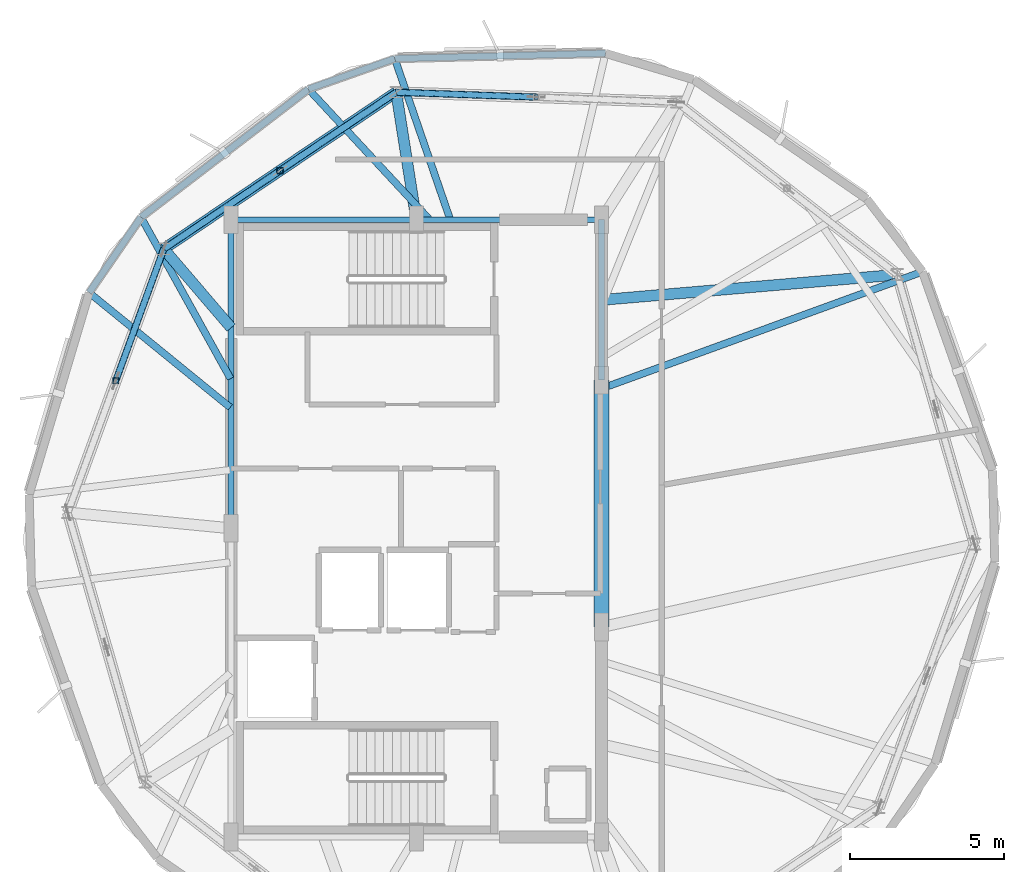
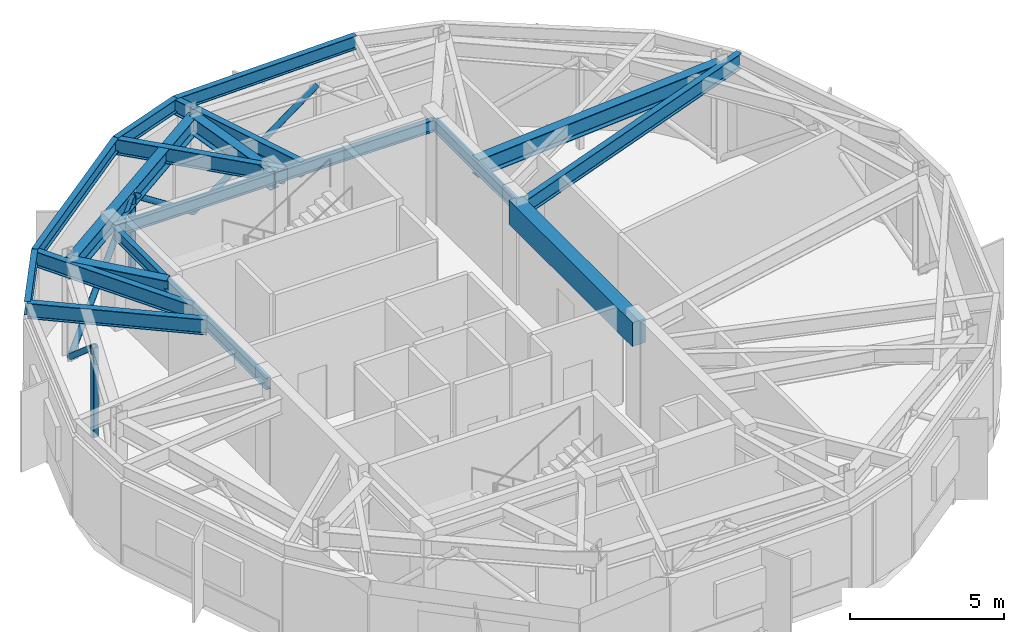
# One storey, part 2 of 9: 18 beams, 6 members.
"""IFC4 building model written with IfcOpenShell, lengths in metres."""

from ifc_helpers import new_model, si_unit, direction, frame, origin, origin_2d, place, context, subcontext, project, spatial, rectangle, hollow_rectangle, hollow_circle, i_section, extrude, material, material_profile, profile_set, type_object, element, save


model = new_model("IFC4")

# Units and contexts
model_context = context("Model", 3, precision=1e-05, world=origin(), true_north=direction((0.0, 1.0)))
body_context = subcontext(model_context, "Body", "Model", "MODEL_VIEW")
ifc_project = project(units=[si_unit("LENGTHUNIT", "METRE"), si_unit("AREAUNIT", "SQUARE_METRE"), si_unit("VOLUMEUNIT", "CUBIC_METRE"), si_unit("PLANEANGLEUNIT", "RADIAN"), si_unit("MASSUNIT", "GRAM", prefix="KILO")], contexts=[model_context])

# Site, building, storey
site_placement = place(None, origin())
site = spatial("IfcSite", under=ifc_project, at=site_placement, CompositionType="ELEMENT")
building_placement = place(site_placement, origin())
building = spatial("IfcBuilding", under=site, at=building_placement, Name="Soratama Intermodal Tower", CompositionType="ELEMENT")
storey_placement = place(building_placement, frame((0.0, 0.0, 305.64990234375)))
storey = spatial("IfcBuildingStorey", under=building, at=storey_placement, Name="L77", CompositionType="ELEMENT", Elevation=305.64990234375)

# Beams
ifc_material_1 = material(Name="Concrete f'c 56 MPa", Category="concrete")
ifc_material_profile_1 = material_profile(ifc_material_1, rectangle(XDim=0.5, YDim=0.949951171875, at=origin_2d()), Name="RC500X950")
ifc_profile_set_1 = profile_set([ifc_material_profile_1], Name="Concrete f'c 56 MPa")
beam_type_1 = type_object("IfcBeamType", Name="BM-CPL-RC500X950", PredefinedType="BEAM", material=ifc_profile_set_1)
beam_1_placement = place(storey_placement, frame((44.60009765625, 21.800048828125, 3.420166015625), z_axis=(0.0, 1.0, 0.0), x_axis=(-1.0, 0.0, 0.0)))
element("IfcBeam", 1, at=beam_1_placement, inside=storey, type_object=beam_type_1, Name="L77 Core Coupling Beam East", PredefinedType="BEAM", context=body_context, shape_type="SweptSolid", body=[
    extrude(rectangle(XDim=0.5, YDim=0.949951171875, at=origin_2d()), origin(), (0.0, 0.0, 1.0), 8.0),
])
ifc_material_2 = material(Name="Structural steel ASTM A992 Grade 50", Category="steel")
ifc_material_profile_2 = material_profile(ifc_material_2, i_section(OverallWidth=0.19091796875, OverallDepth=0.4599609375, WebThickness=0.010009765625, FlangeThickness=0.01611328125, FilletRadius=0.010986328125, at=origin_2d()), Name="W18X55")
ifc_profile_set_2 = profile_set([ifc_material_profile_2], Name="Structural steel ASTM A992 Grade 50")
beam_type_2 = type_object("IfcBeamType", Name="BM-FLR-W18X55", PredefinedType="BEAM", material=ifc_profile_set_2)
beam_2_placement = place(storey_placement, frame((44.60009765625, 29.800048828125, 3.6650390625), z_axis=(0.0, 1.0, 0.0), x_axis=(-1.0, 0.0, 0.0)))
element("IfcBeam", 2, at=beam_2_placement, inside=storey, type_object=beam_type_2, Name="BM-L77-CRING-05", PredefinedType="BEAM", context=body_context, shape_type="SweptSolid", body=[
    extrude(i_section(OverallWidth=0.19091796875, OverallDepth=0.4599609375, WebThickness=0.010009765625, FlangeThickness=0.01611328125, FilletRadius=0.010986328125, at=origin_2d()), origin(), (0.0, 0.0, 1.0), 5.199951171875),
])
for number, where, z_axis, x_axis, name in (
    (3, (44.60009765625, 35.0, 3.6650390625), (-1.0, 0.0, 0.0), (0.0, -1.0, 0.0), "BM-L77-CRING-06"),
    (4, (38.60009765625, 35.0, 3.6650390625), (-1.0, 0.0, 0.0), (0.0, -1.0, 0.0), "BM-L77-CRING-07"),
):
    element("IfcBeam", number, at=place(storey_placement, frame(where, z_axis=z_axis, x_axis=x_axis)), inside=storey, type_object=beam_type_2, Name=name, PredefinedType="BEAM", context=body_context, shape_type="SweptSolid", body=[
        extrude(i_section(OverallWidth=0.19091796875, OverallDepth=0.4599609375, WebThickness=0.010009765625, FlangeThickness=0.01611328125, FilletRadius=0.010986328125, at=origin_2d()), origin(), (0.0, 0.0, 1.0), 6.0),
    ])
beam_3_placement = place(storey_placement, frame((32.60009765625, 35.0, 3.6650390625), z_axis=(0.0, -1.0, 0.0), x_axis=(1.0, 0.0, 0.0)))
element("IfcBeam", 5, at=beam_3_placement, inside=storey, type_object=beam_type_2, Name="BM-L77-CRING-08", PredefinedType="BEAM", context=body_context, shape_type="SweptSolid", body=[
    extrude(i_section(OverallWidth=0.19091796875, OverallDepth=0.4599609375, WebThickness=0.010009765625, FlangeThickness=0.01611328125, FilletRadius=0.010986328125, at=origin_2d()), origin(), (0.0, 0.0, 1.0), 10.0),
])
ifc_material_3 = material(Name="Structural steel ASTM A992 Grade 50", Category="steel")
ifc_material_profile_3 = material_profile(ifc_material_3, i_section(OverallWidth=0.35498046875, OverallDepth=0.695068359375, WebThickness=0.015380859375, FlangeThickness=0.02490234375, FilletRadius=0.01611328125, at=origin_2d()), Name="W27X146")
ifc_profile_set_3 = profile_set([ifc_material_profile_3], Name="Structural steel ASTM A992 Grade 50")
beam_type_3 = type_object("IfcBeamType", Name="BM-RING-W27X146", PredefinedType="BEAM", material=ifc_profile_set_3)
beam_4_placement = place(storey_placement, frame((37.947998046875, 39.1298828125, 3.547607421875), z_axis=(-0.829065755123, -0.559151118824, 0.0), x_axis=(0.559151118824, -0.829065755123, 0.0)))
element("IfcBeam", 6, at=beam_4_placement, inside=storey, type_object=beam_type_3, Name="BM-L77-RING-03", PredefinedType="BEAM", context=body_context, shape_type="SweptSolid", body=[
    extrude(i_section(OverallWidth=0.35498046875, OverallDepth=0.695068359375, WebThickness=0.015380859375, FlangeThickness=0.02490234375, FilletRadius=0.01611328125, at=origin_2d()), origin(), (0.0, 0.0, 1.0), 9.0849609375),
])
beam_5_placement = place(storey_placement, frame((44.60009765625, 32.39990234375, 3.547607421875), z_axis=(0.996361377068, 0.085229139899, 0.0), x_axis=(-0.085229139899, 0.996361377068, 0.0)))
element("IfcBeam", 7, at=beam_5_placement, inside=storey, type_object=beam_type_3, Name="BM-L77-RAD-01", PredefinedType="BEAM", context=body_context, shape_type="SweptSolid", body=[
    extrude(i_section(OverallWidth=0.35498046875, OverallDepth=0.695068359375, WebThickness=0.015380859375, FlangeThickness=0.02490234375, FilletRadius=0.01611328125, at=origin_2d()), origin(), (0.0, 0.0, 1.0), 9.621826171875),
])
beam_6_placement = place(storey_placement, frame((38.60009765625, 35.0, 3.547607421875), z_axis=(-0.155965571991, 0.987762491874, 0.0), x_axis=(-0.987762491874, -0.155965571991, 0.0)))
element("IfcBeam", 8, at=beam_6_placement, inside=storey, type_object=beam_type_3, Name="BM-L77-RAD-03", PredefinedType="BEAM", context=body_context, shape_type="SweptSolid", body=[
    extrude(i_section(OverallWidth=0.35498046875, OverallDepth=0.695068359375, WebThickness=0.015380859375, FlangeThickness=0.02490234375, FilletRadius=0.01611328125, at=origin_2d()), origin(), (0.0, 0.0, 1.0), 4.18115234375),
])
beam_7_placement = place(storey_placement, frame((32.60009765625, 31.5, 3.547607421875), z_axis=(-0.650503890691, 0.759502921782, 0.0), x_axis=(-0.759502921782, -0.650503890691, 0.0)))
element("IfcBeam", 9, at=beam_7_placement, inside=storey, type_object=beam_type_3, Name="BM-L77-RAD-04", PredefinedType="BEAM", context=body_context, shape_type="SweptSolid", body=[
    extrude(i_section(OverallWidth=0.35498046875, OverallDepth=0.695068359375, WebThickness=0.015380859375, FlangeThickness=0.02490234375, FilletRadius=0.01611328125, at=origin_2d()), origin(), (0.0, 0.0, 1.0), 3.357421875),
])
ifc_material_4 = material(Name="Structural steel ASTM A992 Grade 50", Category="steel")
ifc_material_profile_4 = material_profile(ifc_material_4, i_section(OverallWidth=0.2099609375, OverallDepth=0.537109375, WebThickness=0.010986328125, FlangeThickness=0.017333984375, FilletRadius=0.012939453125, at=origin_2d()), Name="W21X68")
ifc_profile_set_4 = profile_set([ifc_material_profile_4], Name="Structural steel ASTM A992 Grade 50")
beam_type_4 = type_object("IfcBeamType", Name="BM-SPN-W21X68", PredefinedType="SPANDREL", material=ifc_profile_set_4)
beam_8_placement = place(storey_placement, frame((44.72998046875, 40.39306640625, 3.626708984375), z_axis=(-0.999682536097, -0.025195773915, 0.0), x_axis=(0.025195773915, -0.999682536097, 0.0)))
element("IfcBeam", 10, at=beam_8_placement, inside=storey, type_object=beam_type_4, Name="BS-L77-F01", PredefinedType="SPANDREL", context=body_context, shape_type="SweptSolid", body=[
    extrude(i_section(OverallWidth=0.2099609375, OverallDepth=0.537109375, WebThickness=0.010986328125, FlangeThickness=0.017333984375, FilletRadius=0.012939453125, at=origin_2d()), origin(), (0.0, 0.0, 1.0), 6.831298828125),
])
beam_9_placement = place(storey_placement, frame((37.90087890625, 40.220947265625, 3.626708984375), z_axis=(-0.9430343817, -0.332695288413, 0.0), x_axis=(0.332695288413, -0.9430343817, 0.0)))
element("IfcBeam", 11, at=beam_9_placement, inside=storey, type_object=beam_type_4, Name="BS-L77-CRN01", PredefinedType="SPANDREL", context=body_context, shape_type="SweptSolid", body=[
    extrude(i_section(OverallWidth=0.2099609375, OverallDepth=0.537109375, WebThickness=0.010986328125, FlangeThickness=0.017333984375, FilletRadius=0.012939453125, at=origin_2d()), origin(), (0.0, 0.0, 1.0), 2.966796875),
])
beam_10_placement = place(storey_placement, frame((35.10302734375, 39.23388671875, 3.626708984375), z_axis=(-0.794003667798, -0.607912967063, 0.0), x_axis=(0.607912967063, -0.794003667798, 0.0)))
element("IfcBeam", 12, at=beam_10_placement, inside=storey, type_object=beam_type_4, Name="BS-L77-F02", PredefinedType="SPANDREL", context=body_context, shape_type="SweptSolid", body=[
    extrude(i_section(OverallWidth=0.2099609375, OverallDepth=0.537109375, WebThickness=0.010986328125, FlangeThickness=0.017333984375, FilletRadius=0.012939453125, at=origin_2d()), origin(), (0.0, 0.0, 1.0), 6.831298828125),
])
beam_11_placement = place(storey_placement, frame((29.678955078125, 35.0810546875, 3.626708984375), z_axis=(-0.567042230311, -0.823688720964, 0.0), x_axis=(0.823688720964, -0.567042230311, 0.0)))
element("IfcBeam", 13, at=beam_11_placement, inside=storey, type_object=beam_type_4, Name="BS-L77-CRN02", PredefinedType="SPANDREL", context=body_context, shape_type="SweptSolid", body=[
    extrude(i_section(OverallWidth=0.2099609375, OverallDepth=0.537109375, WebThickness=0.010986328125, FlangeThickness=0.017333984375, FilletRadius=0.012939453125, at=origin_2d()), origin(), (0.0, 0.0, 1.0), 2.966064453125),
])
ifc_material_5 = material(Name="Structural steel ASTM A992 Grade 50", Category="steel")
ifc_material_profile_5 = material_profile(ifc_material_5, i_section(OverallWidth=0.22900390625, OverallDepth=0.612060546875, WebThickness=0.011962890625, FlangeThickness=0.01953125, FilletRadius=0.012939453125, at=origin_2d()), Name="W24X84")
ifc_profile_set_5 = profile_set([ifc_material_profile_5], Name="Structural steel ASTM A992 Grade 50")
beam_type_5 = type_object("IfcBeamType", Name="BM-TIE-W24X84", PredefinedType="BEAM", material=ifc_profile_set_5)
beam_12_placement = place(storey_placement, frame((39.68701171875, 35.0380859375, 3.589111328125), z_axis=(-0.325817744037, 0.945432598164, 0.0), x_axis=(-0.945432598164, -0.325817744037, 0.0)))
element("IfcBeam", 14, at=beam_12_placement, inside=storey, type_object=beam_type_5, Name="BM-L77-TIE1-01", PredefinedType="BEAM", context=body_context, shape_type="SweptSolid", body=[
    extrude(i_section(OverallWidth=0.22900390625, OverallDepth=0.612060546875, WebThickness=0.011962890625, FlangeThickness=0.01953125, FilletRadius=0.012939453125, at=origin_2d()), origin(), (0.0, 0.0, 1.0), 5.48193359375),
])
beam_13_placement = place(storey_placement, frame((39.006103515625, 35.029052734375, 3.589111328125), z_axis=(-0.680318877857, 0.732916246533, 0.0), x_axis=(-0.732916246533, -0.680318877857, 0.0)))
element("IfcBeam", 15, at=beam_13_placement, inside=storey, type_object=beam_type_5, Name="BM-L77-TIE0-02", PredefinedType="BEAM", context=body_context, shape_type="SweptSolid", body=[
    extrude(i_section(OverallWidth=0.22900390625, OverallDepth=0.612060546875, WebThickness=0.011962890625, FlangeThickness=0.01953125, FilletRadius=0.012939453125, at=origin_2d()), origin(), (0.0, 0.0, 1.0), 5.737060546875),
])
beam_14_placement = place(storey_placement, frame((32.5810546875, 29.85009765625, 3.589111328125), z_axis=(-0.485133467481, 0.874440117292, 0.0), x_axis=(-0.874440117292, -0.485133467481, 0.0)))
element("IfcBeam", 16, at=beam_14_placement, inside=storey, type_object=beam_type_5, Name="BM-L77-TIE1-02", PredefinedType="BEAM", context=body_context, shape_type="SweptSolid", body=[
    extrude(i_section(OverallWidth=0.22900390625, OverallDepth=0.612060546875, WebThickness=0.011962890625, FlangeThickness=0.01953125, FilletRadius=0.012939453125, at=origin_2d()), origin(), (0.0, 0.0, 1.0), 5.982177734375),
])
beam_15_placement = place(storey_placement, frame((32.569091796875, 28.91796875, 3.589111328125), z_axis=(-0.775681777738, 0.631124218903, 0.0), x_axis=(-0.631124218903, -0.775681777738, 0.0)))
element("IfcBeam", 17, at=beam_15_placement, inside=storey, type_object=beam_type_5, Name="BM-L77-TIE0-03", PredefinedType="BEAM", context=body_context, shape_type="SweptSolid", body=[
    extrude(i_section(OverallWidth=0.22900390625, OverallDepth=0.612060546875, WebThickness=0.011962890625, FlangeThickness=0.01953125, FilletRadius=0.012939453125, at=origin_2d()), origin(), (0.0, 0.0, 1.0), 5.894287109375),
])
beam_16_placement = place(storey_placement, frame((44.821044921875, 29.60791015625, 3.589111328125), z_axis=(0.939590638285, 0.342300208073, 0.0), x_axis=(-0.342300208073, 0.939590638285, 0.0)))
element("IfcBeam", 18, at=beam_16_placement, inside=storey, type_object=beam_type_5, Name="BM-L77-TIE1-09", PredefinedType="BEAM", context=body_context, shape_type="SweptSolid", body=[
    extrude(i_section(OverallWidth=0.22900390625, OverallDepth=0.612060546875, WebThickness=0.011962890625, FlangeThickness=0.01953125, FilletRadius=0.012939453125, at=origin_2d()), origin(), (0.0, 0.0, 1.0), 10.83544921875),
])

# Members
ifc_material_6 = material(Name="Structural steel ASTM A500 Grade C", Category="steel")
ifc_material_profile_6 = material_profile(ifc_material_6, hollow_circle(Radius=0.109619140625, WallThickness=0.010009765625, at=origin_2d()), Name="CHS219X10")
ifc_profile_set_6 = profile_set([ifc_material_profile_6], Name="Structural steel ASTM A500 Grade C")
member_type_1 = type_object("IfcMemberType", Name="MB-DIAG-CHS219", PredefinedType="BRACE", material=ifc_profile_set_6)
for number, where, z_axis, x_axis, name in (
    (19, (37.947998046875, 39.130615234375, 0.010009765625), (0.788492606148, -0.027562258349, 0.614426343807), (0.034934296707, 0.99938961117, 0.0), "L77 Belt Truss Brace B 02"),
    (20, (37.947998046875, 39.130615234375, 0.010009765625), (-0.654074694914, -0.441208894689, 0.614427379533), (0.559218987032, -0.829019978373, 0.0), "L77 Belt Truss Brace A 03"),
):
    element("IfcMember", number, at=place(storey_placement, frame(where, z_axis=z_axis, x_axis=x_axis)), inside=storey, type_object=member_type_1, Name=name, PredefinedType="BRACE", context=body_context, shape_type="SweptSolid", body=[
        extrude(hollow_circle(Radius=0.109619140625, WallThickness=0.010009765625, at=origin_2d()), origin(), (0.0, 0.0, 1.0), 5.757568359375),
    ])
member_1_placement = place(storey_placement, frame((30.416259765625, 34.05029296875, 0.010009765625), z_axis=(0.654086931636, 0.441174744683, 0.614438874516), x_axis=(-0.55918204767, 0.829044894782, 0.0)))
element("IfcMember", 21, at=member_1_placement, inside=storey, type_object=member_type_1, Name="L77 Belt Truss Brace B 03", PredefinedType="BRACE", context=body_context, shape_type="SweptSolid", body=[
    extrude(hollow_circle(Radius=0.109619140625, WallThickness=0.010009765625, at=origin_2d()), origin(), (0.0, 0.0, 1.0), 5.75732421875),
])
member_2_placement = place(storey_placement, frame((30.416259765625, 34.05029296875, 0.010009765625), z_axis=(-0.269848628078, -0.741405289432, 0.614410216978), x_axis=(0.939692958398, -0.342019215742, 0.0)))
element("IfcMember", 22, at=member_2_placement, inside=storey, type_object=member_type_1, Name="L77 Belt Truss Brace A 04", PredefinedType="BRACE", context=body_context, shape_type="SweptSolid", body=[
    extrude(hollow_circle(Radius=0.109619140625, WallThickness=0.010009765625, at=origin_2d()), origin(), (0.0, 0.0, 1.0), 5.7578125),
])
ifc_material_7 = material(Name="Structural steel ASTM A500 Grade C", Category="steel")
ifc_material_profile_7 = material_profile(ifc_material_7, hollow_rectangle(XDim=0.203125, YDim=0.203125, WallThickness=0.0126953125, InnerFilletRadius=0.0126953125, OuterFilletRadius=0.025390625, at=origin_2d()), Name="HSS203X203X12.7")
ifc_profile_set_7 = profile_set([ifc_material_profile_7], Name="Structural steel ASTM A500 Grade C")
member_type_2 = type_object("IfcMemberType", Name="MB-PST-HSS203", PredefinedType="POST", material=ifc_profile_set_7)
for number, where, z_axis, x_axis, name in (
    (23, (34.18212890625, 36.59033203125, 0.010009765625), (0.0, 0.0, 1.0), (1.0, 0.0, 0.0), "L77 Crown Truss Post 03"),
    (24, (28.862548828125, 29.781494140625, 0.010009765625), (0.0, 0.0, 1.0), (1.0, 0.0, 0.0), "L77 Crown Truss Post 04"),
):
    element("IfcMember", number, at=place(storey_placement, frame(where, z_axis=z_axis, x_axis=x_axis)), inside=storey, type_object=member_type_2, Name=name, PredefinedType="POST", context=body_context, shape_type="SweptSolid", body=[
        extrude(hollow_rectangle(XDim=0.203125, YDim=0.203125, WallThickness=0.0126953125, InnerFilletRadius=0.0126953125, OuterFilletRadius=0.025390625, at=origin_2d()), origin(), (0.0, 0.0, 1.0), 3.53759765625),
    ])

save(model, "model.ifc")
